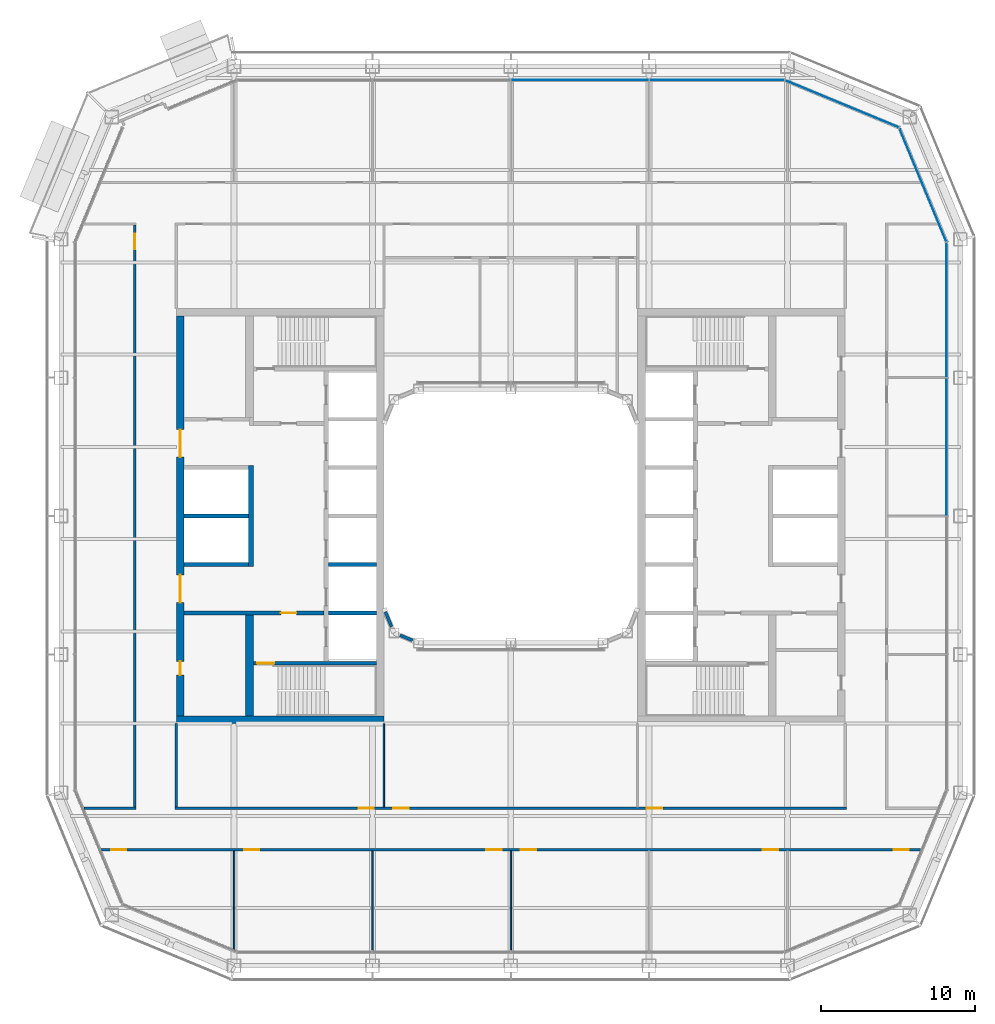
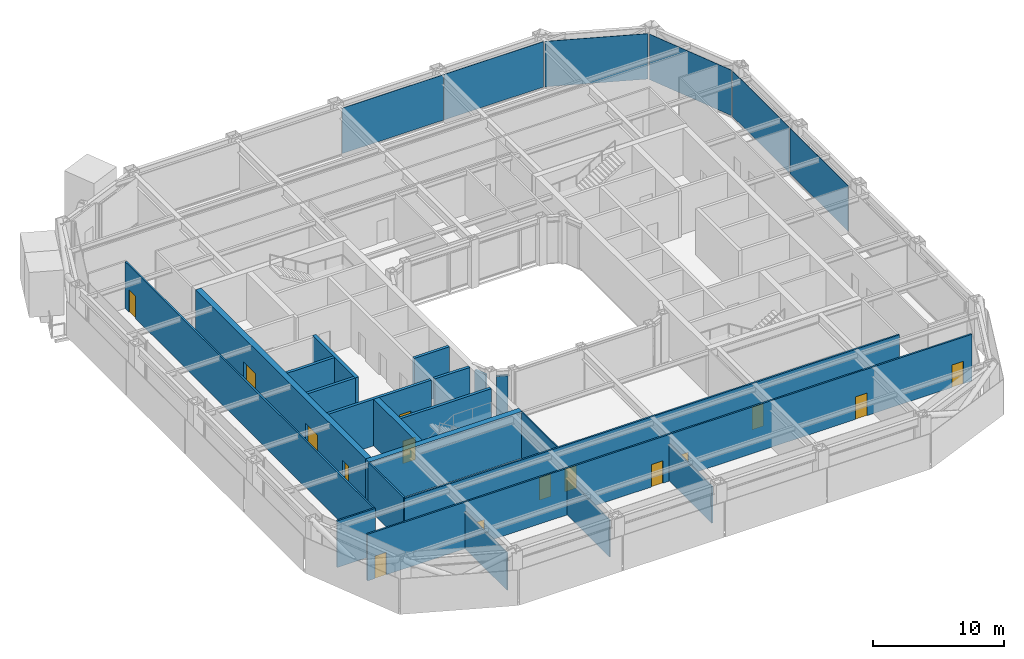
# One storey, part 11 of 23: 21 walls, 15 doors, 6 plates, 15 openings, 4 elements without a shape of their own.
"""IFC4 building model written with IfcOpenShell, lengths in metres."""

from ifc_helpers import new_model, si_unit, direction, frame, frame_2d, origin, origin_2d, place, context, subcontext, project, spatial, rectangle, extrude, material, layer, layer_set, type_object, element, fill, aggregate, save


model = new_model("IFC4")

# Units and contexts
model_context = context("Model", 3, precision=1e-05, world=origin(), true_north=direction((0.0, 1.0)))
body_context = subcontext(model_context, "Body", "Model", "MODEL_VIEW")
ifc_project = project(units=[si_unit("LENGTHUNIT", "METRE"), si_unit("AREAUNIT", "SQUARE_METRE"), si_unit("VOLUMEUNIT", "CUBIC_METRE"), si_unit("PLANEANGLEUNIT", "RADIAN"), si_unit("MASSUNIT", "GRAM", prefix="KILO")], contexts=[model_context])

# Site, building, storey
site_placement = place(None, origin())
site = spatial("IfcSite", under=ifc_project, at=site_placement, CompositionType="ELEMENT")
building_placement = place(site_placement, origin())
building = spatial("IfcBuilding", under=site, at=building_placement, Name="Siwar Civic Tower", CompositionType="ELEMENT")
storey_placement = place(building_placement, frame((0.0, 0.0, 172.199951171875)))
storey = spatial("IfcBuildingStorey", under=building, at=storey_placement, Name="L37", CompositionType="ELEMENT", Elevation=172.199951171875)

# Curtain wall, plates
ifc_material_1 = material(Name="Aluminium and glass", Category="aluminium")
ifc_layer_1 = layer(ifc_material_1, 0.199951171875)
ifc_layer_set_1 = layer_set([ifc_layer_1], Name="Aluminium and glass")
curtain_wall_type_1 = type_object("IfcCurtainWallType", Name="ENV-CW-B", PredefinedType="NOTDEFINED", material=ifc_layer_set_1)
curtain_wall_1_placement = place(storey_placement, origin())
curtain_wall_1 = element("IfcCurtainWall", 1, at=curtain_wall_1_placement, inside=storey, type_object=curtain_wall_type_1, Name="Curtain wall B E", PredefinedType="NOTDEFINED")
ifc_material_2 = material(Name="Glass clear laminated", Category="glass")
ifc_layer_2 = layer(ifc_material_2, 0.033935546875)
ifc_layer_set_2 = layer_set([ifc_layer_2], Name="Glass clear laminated")
plate_type_1 = type_object("IfcPlateType", Name="ENV-PANEL-B", PredefinedType="CURTAIN_PANEL", material=ifc_layer_set_2)
plate_1_placement = place(storey_placement, frame((28.35009765625, 4.5, 0.10986328125), z_axis=(0.0, 0.0, 1.0), x_axis=(0.0, 1.0, 0.0)))
plate_1 = element("IfcPlate", 2, at=plate_1_placement, type_object=plate_type_1, Name="Curtain panel B E 3", PredefinedType="CURTAIN_PANEL", context=body_context, shape_type="SweptSolid", body=[
    extrude(rectangle(XDim=8.93505859375, YDim=0.033935546875, at=origin_2d()), origin(), (0.0, 0.0, 1.0), 4.239990234375),
])
plate_2_placement = place(storey_placement, frame((28.35009765625, 13.369873046875, 0.10986328125), z_axis=(0.0, 0.0, 1.0), x_axis=(0.0, 1.0, 0.0)))
plate_2 = element("IfcPlate", 3, at=plate_2_placement, type_object=plate_type_1, Name="Curtain panel B E 4", PredefinedType="CURTAIN_PANEL", context=body_context, shape_type="SweptSolid", body=[
    extrude(rectangle(XDim=8.6748046875, YDim=0.033935546875, at=origin_2d()), origin(), (0.0, 0.0, 1.0), 4.239990234375),
])
aggregate(curtain_wall_1, [plate_1, plate_2])

curtain_wall_2_placement = place(storey_placement, origin())
curtain_wall_2 = element("IfcCurtainWall", 4, at=curtain_wall_2_placement, inside=storey, type_object=curtain_wall_type_1, Name="Curtain wall B N", PredefinedType="NOTDEFINED")
plate_3_placement = place(storey_placement, frame((13.410400390625, 28.35009765625, 0.10986328125), z_axis=(0.0, 0.0, 1.0), x_axis=(-1.0, 0.0, 0.0)))
plate_3 = element("IfcPlate", 5, at=plate_3_placement, type_object=plate_type_1, Name="Curtain panel B N 1", PredefinedType="CURTAIN_PANEL", context=body_context, shape_type="SweptSolid", body=[
    extrude(rectangle(XDim=8.755859375, YDim=0.033935546875, at=origin_2d()), origin(), (0.0, 0.0, 1.0), 4.239990234375),
])
plate_4_placement = place(storey_placement, frame((4.5, 28.35009765625, 0.10986328125), z_axis=(0.0, 0.0, 1.0), x_axis=(-1.0, 0.0, 0.0)))
plate_4 = element("IfcPlate", 6, at=plate_4_placement, type_object=plate_type_1, Name="Curtain panel B N 2", PredefinedType="CURTAIN_PANEL", context=body_context, shape_type="SweptSolid", body=[
    extrude(rectangle(XDim=8.93505859375, YDim=0.033935546875, at=origin_2d()), origin(), (0.0, 0.0, 1.0), 4.239990234375),
])
aggregate(curtain_wall_2, [plate_3, plate_4])

# Curtain wall, plate
ifc_material_3 = material(Name="Aluminium clad insulated panel", Category="aluminium")
ifc_layer_3 = layer(ifc_material_3, 0.199951171875)
ifc_layer_set_3 = layer_set([ifc_layer_3], Name="Aluminium clad insulated panel")
curtain_wall_type_2 = type_object("IfcCurtainWallType", Name="ENV-CW-BX", PredefinedType="NOTDEFINED", material=ifc_layer_set_3)
curtain_wall_3_placement = place(storey_placement, origin())
curtain_wall_3 = element("IfcCurtainWall", 7, at=curtain_wall_3_placement, inside=storey, type_object=curtain_wall_type_2, Name="Curtain wall B NE1", PredefinedType="NOTDEFINED")
ifc_material_4 = material(Name="Aluminium clad insulated panel", Category="aluminium")
ifc_layer_4 = layer(ifc_material_4, 0.033935546875)
ifc_layer_set_4 = layer_set([ifc_layer_4], Name="Aluminium clad insulated panel")
plate_type_2 = type_object("IfcPlateType", Name="ENV-PANEL-BX", PredefinedType="CURTAIN_PANEL", material=ifc_layer_set_4)
plate_5_placement = place(storey_placement, frame((26.823486328125, 21.506103515625, 0.10986328125), z_axis=(0.0, 0.0, 1.0), x_axis=(-0.382683432365, 0.923879532511, 0.0)))
plate_5 = element("IfcPlate", 8, at=plate_5_placement, type_object=plate_type_2, Name="Curtain panel B NE1 1", PredefinedType="CURTAIN_PANEL", context=body_context, shape_type="SweptSolid", body=[
    extrude(rectangle(XDim=7.912353515625, YDim=0.033935546875, at=origin_2d()), origin(), (0.0, 0.0, 1.0), 4.239990234375),
])
aggregate(curtain_wall_3, [plate_5])

curtain_wall_4_placement = place(storey_placement, origin())
curtain_wall_4 = element("IfcCurtainWall", 9, at=curtain_wall_4_placement, inside=storey, type_object=curtain_wall_type_2, Name="Curtain wall B NE2", PredefinedType="NOTDEFINED")
plate_6_placement = place(storey_placement, frame((21.5810546875, 26.79248046875, 0.10986328125), z_axis=(0.0, 0.0, 1.0), x_axis=(-0.923879532511, 0.382683432365, 0.0)))
plate_6 = element("IfcPlate", 10, at=plate_6_placement, type_object=plate_type_2, Name="Curtain panel B NE2 1", PredefinedType="CURTAIN_PANEL", context=body_context, shape_type="SweptSolid", body=[
    extrude(rectangle(XDim=7.912353515625, YDim=0.033935546875, at=origin_2d()), origin(), (0.0, 0.0, 1.0), 4.239990234375),
])
aggregate(curtain_wall_4, [plate_6])

# Wall, opening, door
ifc_material_5 = material(Name="Concrete C60/75", Category="concrete")
ifc_layer_5 = layer(ifc_material_5, 0.25)
ifc_layer_set_5 = layer_set([ifc_layer_5], Name="Concrete C60/75")
wall_type_1 = type_object("IfcWallType", Name="CORE-WALL-RC250", PredefinedType="SHEAR", material=ifc_layer_set_5)
wall_1_placement = place(storey_placement, frame((-12.14990234375, -6.300048828125, 0.0), z_axis=(0.0, 0.0, 1.0), x_axis=(-1.0, 0.0, 0.0)))
wall_1 = element("IfcWall", 11, at=wall_1_placement, inside=storey, type_object=wall_type_1, Name="Core wall W", PredefinedType="SHEAR", context=body_context, shape_type="SweptSolid", body=[
    extrude(rectangle(XDim=9.10009765625, YDim=0.25, at=frame_2d((4.550048828125, 0.0))), origin(), (0.0, 0.0, 1.0), 4.35009765625),
])
opening_1_placement = place(wall_1_placement, frame((1.800048828125, 0.0, 0.0)))
opening_1 = element("IfcOpeningElement", 12, at=opening_1_placement, cuts=wall_1, Name="Opening L37-CW02", PredefinedType="OPENING", context=body_context, shape_type="SweptSolid", body=[
    extrude(rectangle(XDim=1.0, YDim=2.10009765625, at=frame_2d((0.5, 1.050048828125))), frame((0.0, 0.135009765625, 0.0), z_axis=(0.0, -1.0, 0.0), x_axis=(1.0, 0.0, 0.0)), (0.0, 0.0, 1.0), 0.27001953125),
])
ifc_material_6 = material(Name="Steel door leaf", Category="steel")
door_type_1 = type_object("IfcDoorType", Name="CORE-DOOR-FD30S", OperationType="SINGLE_SWING_LEFT", PredefinedType="DOOR", material=ifc_material_6)
door_1_placement = place(opening_1_placement, origin())
door_1 = element("IfcDoor", 13, at=door_1_placement, inside=storey, type_object=door_type_1, Name="Service lobby door L37-CW02", OperationType="SINGLE_SWING_RIGHT", OverallHeight=2.10009765625, OverallWidth=1.0, PredefinedType="DOOR", context=body_context, shape_type="SweptSolid", body=[
    extrude(rectangle(XDim=1.0, YDim=2.10009765625, at=frame_2d((0.5, 1.050048828125))), frame((0.0, 0.02490234375, 0.0), z_axis=(0.0, -1.0, 0.0), x_axis=(1.0, 0.0, 0.0)), (0.0, 0.0, 1.0), 0.050048828125),
])
fill(opening_1, door_1)

# Walls
for number, where, z_axis, x_axis, name in (
    (14, (-17.050048828125, 0.0, 0.0), (0.0, 0.0, 1.0), (-1.0, 0.0, 0.0), "Core wall W"),
    (15, (-17.050048828125, -3.14990234375, 0.0), (0.0, 0.0, 1.0), (-1.0, 0.0, 0.0), "Core wall W"),
):
    element("IfcWall", number, at=place(storey_placement, frame(where, z_axis=z_axis, x_axis=x_axis)), inside=storey, type_object=wall_type_1, Name=name, PredefinedType="SHEAR", context=body_context, shape_type="SweptSolid", body=[
        extrude(rectangle(XDim=4.199951171875, YDim=0.25, at=frame_2d((2.10009765625, 0.0))), origin(), (0.0, 0.0, 1.0), 4.35009765625),
    ])
for number, where, z_axis, x_axis, name in (
    (16, (-8.75, -3.14990234375, 0.0), (0.0, 0.0, 1.0), (-1.0, 0.0, 0.0), "Core wall W"),
    (17, (-8.75, -6.300048828125, 0.0), (0.0, 0.0, 1.0), (-1.0, 0.0, 0.0), "Core wall W"),
):
    element("IfcWall", number, at=place(storey_placement, frame(where, z_axis=z_axis, x_axis=x_axis)), inside=storey, type_object=wall_type_1, Name=name, PredefinedType="SHEAR", context=body_context, shape_type="SweptSolid", body=[
        extrude(rectangle(XDim=3.10009765625, YDim=0.25, at=frame_2d((1.550048828125, 0.0))), origin(), (0.0, 0.0, 1.0), 4.35009765625),
    ])

# Wall, opening, door
wall_2_placement = place(storey_placement, frame((-8.75, -9.574951171875, 0.0), z_axis=(0.0, 0.0, 1.0), x_axis=(-1.0, 0.0, 0.0)))
wall_2 = element("IfcWall", 18, at=wall_2_placement, inside=storey, type_object=wall_type_1, Name="Core wall W", PredefinedType="SHEAR", context=body_context, shape_type="SweptSolid", body=[
    extrude(rectangle(XDim=8.0, YDim=0.25, at=frame_2d((4.0, 0.0))), origin(), (0.0, 0.0, 1.0), 4.35009765625),
])
opening_2_placement = place(wall_2_placement, frame((6.64990234375, 0.0, 0.0)))
opening_2 = element("IfcOpeningElement", 19, at=opening_2_placement, cuts=wall_2, Name="Opening L37-CW04", PredefinedType="OPENING", context=body_context, shape_type="SweptSolid", body=[
    extrude(rectangle(XDim=1.10009765625, YDim=2.10009765625, at=frame_2d((0.550048828125, 1.050048828125))), frame((0.0, 0.135009765625, 0.0), z_axis=(0.0, -1.0, 0.0), x_axis=(1.0, 0.0, 0.0)), (0.0, 0.0, 1.0), 0.27001953125),
])
ifc_material_7 = material(Name="Steel door leaf", Category="steel")
door_type_2 = type_object("IfcDoorType", Name="CORE-DOOR-FD60S", OperationType="SINGLE_SWING_LEFT", PredefinedType="DOOR", material=ifc_material_7)
door_2_placement = place(opening_2_placement, origin())
door_2 = element("IfcDoor", 20, at=door_2_placement, inside=storey, type_object=door_type_2, Name="Stair door L37-CW04", OperationType="SINGLE_SWING_LEFT", OverallHeight=2.10009765625, OverallWidth=1.10009765625, PredefinedType="DOOR", context=body_context, shape_type="SweptSolid", body=[
    extrude(rectangle(XDim=1.10009765625, YDim=2.10009765625, at=frame_2d((0.550048828125, 1.050048828125))), frame((0.0, 0.02490234375, 0.0), z_axis=(0.0, -1.0, 0.0), x_axis=(1.0, 0.0, 0.0)), (0.0, 0.0, 1.0), 0.050048828125),
])
fill(opening_2, door_2)

# Wall
ifc_material_8 = material(Name="Concrete C60/75", Category="concrete")
ifc_layer_6 = layer(ifc_material_8, 0.300048828125)
ifc_layer_set_6 = layer_set([ifc_layer_6], Name="Concrete C60/75")
wall_type_2 = type_object("IfcWallType", Name="CORE-WALL-RC300", PredefinedType="SHEAR", material=ifc_layer_set_6)
wall_3_placement = place(storey_placement, frame((-16.89990234375, -3.27490234375, 0.0), z_axis=(0.0, 0.0, 1.0), x_axis=(0.0, 1.0, 0.0)))
element("IfcWall", 21, at=wall_3_placement, inside=storey, type_object=wall_type_2, Name="Core wall W", PredefinedType="SHEAR", context=body_context, shape_type="SweptSolid", body=[
    extrude(rectangle(XDim=6.5498046875, YDim=0.300048828125, at=frame_2d((3.27490234375, 0.0))), origin(), (0.0, 0.0, 1.0), 4.35009765625),
])

# Wall, openings, doors
ifc_material_9 = material(Name="Concrete C60/75", Category="concrete")
ifc_layer_7 = layer(ifc_material_9, 0.5)
ifc_layer_set_7 = layer_set([ifc_layer_7], Name="Concrete C60/75")
wall_type_3 = type_object("IfcWallType", Name="CORE-WALL-RC500", PredefinedType="SHEAR", material=ifc_layer_set_7)
wall_4_placement = place(storey_placement, frame((-21.5, -13.0, 0.0), z_axis=(0.0, 0.0, 1.0), x_axis=(0.0, 1.0, 0.0)))
wall_4 = element("IfcWall", 22, at=wall_4_placement, inside=storey, type_object=wall_type_3, Name="Core wall W", PredefinedType="SHEAR", context=body_context, shape_type="SweptSolid", body=[
    extrude(rectangle(XDim=26.0, YDim=0.5, at=frame_2d((13.0, 0.0))), origin(), (0.0, 0.0, 1.0), 4.35009765625),
])
opening_3_placement = place(wall_4_placement, frame((16.824951171875, 0.0, 0.0)))
opening_3 = element("IfcOpeningElement", 23, at=opening_3_placement, cuts=wall_4, Name="Opening L37-CW05", PredefinedType="OPENING", context=body_context, shape_type="SweptSolid", body=[
    extrude(rectangle(XDim=1.800048828125, YDim=2.10009765625, at=frame_2d((0.89990234375, 1.050048828125))), frame((0.0, 0.260009765625, 0.0), z_axis=(0.0, -1.0, 0.0), x_axis=(1.0, 0.0, 0.0)), (0.0, 0.0, 1.0), 0.52001953125),
])
opening_4_placement = place(wall_4_placement, frame((7.375, 0.0, 0.0)))
opening_4 = element("IfcOpeningElement", 24, at=opening_4_placement, cuts=wall_4, Name="Opening L37-CW06", PredefinedType="OPENING", context=body_context, shape_type="SweptSolid", body=[
    extrude(rectangle(XDim=1.800048828125, YDim=2.10009765625, at=frame_2d((0.89990234375, 1.050048828125))), frame((0.0, 0.260009765625, 0.0), z_axis=(0.0, -1.0, 0.0), x_axis=(1.0, 0.0, 0.0)), (0.0, 0.0, 1.0), 0.52001953125),
])
opening_5_placement = place(wall_4_placement, frame((2.64990234375, 0.0, 0.0)))
opening_5 = element("IfcOpeningElement", 25, at=opening_5_placement, cuts=wall_4, Name="Opening L37-CW14", PredefinedType="OPENING", context=body_context, shape_type="SweptSolid", body=[
    extrude(rectangle(XDim=0.89990234375, YDim=2.10009765625, at=frame_2d((0.449951171875, 1.050048828125))), frame((0.0, 0.260009765625, 0.0), z_axis=(0.0, -1.0, 0.0), x_axis=(1.0, 0.0, 0.0)), (0.0, 0.0, 1.0), 0.52001953125),
])
ifc_material_10 = material(Name="Steel door leaf", Category="steel")
door_type_3 = type_object("IfcDoorType", Name="CORE-DOOR-PORT", OperationType="DOUBLE_DOOR_DOUBLE_SWING", PredefinedType="DOOR", material=ifc_material_10)
door_3_placement = place(opening_3_placement, origin())
door_3 = element("IfcDoor", 26, at=door_3_placement, inside=storey, type_object=door_type_3, Name="Core entrance door L37-CW05", OperationType="DOUBLE_DOOR_DOUBLE_SWING", OverallHeight=2.10009765625, OverallWidth=1.800048828125, PredefinedType="DOOR", context=body_context, shape_type="SweptSolid", body=[
    extrude(rectangle(XDim=1.800048828125, YDim=2.10009765625, at=frame_2d((0.89990234375, 1.050048828125))), frame((0.0, 0.02490234375, 0.0), z_axis=(0.0, -1.0, 0.0), x_axis=(1.0, 0.0, 0.0)), (0.0, 0.0, 1.0), 0.050048828125),
])
fill(opening_3, door_3)
door_4_placement = place(opening_4_placement, origin())
door_4 = element("IfcDoor", 27, at=door_4_placement, inside=storey, type_object=door_type_3, Name="Core entrance door L37-CW06", OperationType="DOUBLE_DOOR_DOUBLE_SWING", OverallHeight=2.10009765625, OverallWidth=1.800048828125, PredefinedType="DOOR", context=body_context, shape_type="SweptSolid", body=[
    extrude(rectangle(XDim=1.800048828125, YDim=2.10009765625, at=frame_2d((0.89990234375, 1.050048828125))), frame((0.0, 0.02490234375, 0.0), z_axis=(0.0, -1.0, 0.0), x_axis=(1.0, 0.0, 0.0)), (0.0, 0.0, 1.0), 0.050048828125),
])
fill(opening_4, door_4)
ifc_material_11 = material(Name="Steel door leaf", Category="steel")
door_type_4 = type_object("IfcDoorType", Name="CORE-DOOR-ROOM", OperationType="SINGLE_SWING_LEFT", PredefinedType="DOOR", material=ifc_material_11)
door_5_placement = place(opening_5_placement, origin())
door_5 = element("IfcDoor", 28, at=door_5_placement, inside=storey, type_object=door_type_4, Name="Core room door L37-CW14", OperationType="SINGLE_SWING_LEFT", OverallHeight=2.10009765625, OverallWidth=0.89990234375, PredefinedType="DOOR", context=body_context, shape_type="SweptSolid", body=[
    extrude(rectangle(XDim=0.89990234375, YDim=2.10009765625, at=frame_2d((0.449951171875, 1.050048828125))), frame((0.0, 0.02490234375, 0.0), z_axis=(0.0, -1.0, 0.0), x_axis=(1.0, 0.0, 0.0)), (0.0, 0.0, 1.0), 0.050048828125),
])
fill(opening_5, door_5)

# Walls
wall_5_placement = place(storey_placement, frame((-17.0, -13.0, 0.0), z_axis=(0.0, 0.0, 1.0), x_axis=(0.0, 1.0, 0.0)))
element("IfcWall", 29, at=wall_5_placement, inside=storey, type_object=wall_type_3, Name="Core wall W", PredefinedType="SHEAR", context=body_context, shape_type="SweptSolid", body=[
    extrude(rectangle(XDim=6.574951171875, YDim=0.5, at=frame_2d((3.28759765625, 0.0))), origin(), (0.0, 0.0, 1.0), 4.35009765625),
])
wall_6_placement = place(storey_placement, frame((-8.25, -13.25, 0.0), z_axis=(0.0, 0.0, 1.0), x_axis=(-1.0, 0.0, 0.0)))
element("IfcWall", 30, at=wall_6_placement, inside=storey, type_object=wall_type_3, Name="Core wall W", PredefinedType="SHEAR", context=body_context, shape_type="SweptSolid", body=[
    extrude(rectangle(XDim=13.5, YDim=0.5, at=frame_2d((6.75, 0.0))), origin(), (0.0, 0.0, 1.0), 4.35009765625),
])

# Wall, openings, doors
ifc_material_12 = material(Name="Gypsum board on steel studs", Category="steel")
ifc_layer_8 = layer(ifc_material_12, 0.14990234375)
ifc_layer_set_8 = layer_set([ifc_layer_8], Name="Gypsum board on steel studs")
wall_type_4 = type_object("IfcWallType", Name="CORRIDOR PARTITION 150 EI 30", PredefinedType="PARTITIONING", material=ifc_layer_set_8)
wall_7_placement = place(storey_placement, frame((-26.64599609375, -21.699951171875, 0.0), z_axis=(0.0, 0.0, 1.0), x_axis=(1.0, 0.0, 0.0)))
wall_7 = element("IfcWall", 31, at=wall_7_placement, inside=storey, type_object=wall_type_4, Name="L37/wall/P01", PredefinedType="PARTITIONING", context=body_context, shape_type="SweptSolid", body=[
    extrude(rectangle(XDim=53.2919921875, YDim=0.14990234375, at=frame_2d((26.64599609375, 0.0))), origin(), (0.0, 0.0, 1.0), 4.35009765625),
])
opening_6_placement = place(wall_7_placement, frame((9.2958984375, 0.0, 0.0)))
opening_6 = element("IfcOpeningElement", 32, at=opening_6_placement, cuts=wall_7, Name="Opening D1", PredefinedType="OPENING", context=body_context, shape_type="SweptSolid", body=[
    extrude(rectangle(XDim=1.0, YDim=2.10009765625, at=frame_2d((0.5, 1.050048828125))), frame((0.0, 0.0849609375, 0.0), z_axis=(0.0, -1.0, 0.0), x_axis=(1.0, 0.0, 0.0)), (0.0, 0.0, 1.0), 0.169921875),
])
opening_7_placement = place(wall_7_placement, frame((25.0458984375, 0.0, 0.0)))
opening_7 = element("IfcOpeningElement", 33, at=opening_7_placement, cuts=wall_7, Name="Opening D1", PredefinedType="OPENING", context=body_context, shape_type="SweptSolid", body=[
    extrude(rectangle(XDim=1.0, YDim=2.10009765625, at=frame_2d((0.5, 1.050048828125))), frame((0.0, 0.0849609375, 0.0), z_axis=(0.0, -1.0, 0.0), x_axis=(1.0, 0.0, 0.0)), (0.0, 0.0, 1.0), 0.169921875),
])
opening_8_placement = place(wall_7_placement, frame((27.2958984375, 0.0, 0.0)))
opening_8 = element("IfcOpeningElement", 34, at=opening_8_placement, cuts=wall_7, Name="Opening D1", PredefinedType="OPENING", context=body_context, shape_type="SweptSolid", body=[
    extrude(rectangle(XDim=1.0, YDim=2.10009765625, at=frame_2d((0.5, 1.050048828125))), frame((0.0, 0.0849609375, 0.0), z_axis=(0.0, -1.0, 0.0), x_axis=(1.0, 0.0, 0.0)), (0.0, 0.0, 1.0), 0.169921875),
])
opening_9_placement = place(wall_7_placement, frame((43.0458984375, 0.0, 0.0)))
opening_9 = element("IfcOpeningElement", 35, at=opening_9_placement, cuts=wall_7, Name="Opening D1", PredefinedType="OPENING", context=body_context, shape_type="SweptSolid", body=[
    extrude(rectangle(XDim=1.0, YDim=2.10009765625, at=frame_2d((0.5, 1.050048828125))), frame((0.0, 0.0849609375, 0.0), z_axis=(0.0, -1.0, 0.0), x_axis=(1.0, 0.0, 0.0)), (0.0, 0.0, 1.0), 0.169921875),
])
opening_10_placement = place(wall_7_placement, frame((0.64990234375, 0.0, 0.0)))
opening_10 = element("IfcOpeningElement", 36, at=opening_10_placement, cuts=wall_7, Name="Opening D1", PredefinedType="OPENING", context=body_context, shape_type="SweptSolid", body=[
    extrude(rectangle(XDim=1.0, YDim=2.10009765625, at=frame_2d((0.5, 1.050048828125))), frame((0.0, 0.0849609375, 0.0), z_axis=(0.0, -1.0, 0.0), x_axis=(1.0, 0.0, 0.0)), (0.0, 0.0, 1.0), 0.169921875),
])
opening_11_placement = place(wall_7_placement, frame((51.5458984375, 0.0, 0.0)))
opening_11 = element("IfcOpeningElement", 37, at=opening_11_placement, cuts=wall_7, Name="Opening D1", PredefinedType="OPENING", context=body_context, shape_type="SweptSolid", body=[
    extrude(rectangle(XDim=1.0, YDim=2.10009765625, at=frame_2d((0.5, 1.050048828125))), frame((0.0, 0.0849609375, 0.0), z_axis=(0.0, -1.0, 0.0), x_axis=(1.0, 0.0, 0.0)), (0.0, 0.0, 1.0), 0.169921875),
])
ifc_material_13 = material(Name="Timber, painted", Category="wood")
door_type_5 = type_object("IfcDoorType", Name="DOOR 1000 X 2100 FD30", OperationType="SINGLE_SWING_LEFT", PredefinedType="DOOR", material=ifc_material_13)
door_6_placement = place(opening_6_placement, origin())
door_6 = element("IfcDoor", 38, at=door_6_placement, inside=storey, type_object=door_type_5, Name="L37-D05", OperationType="SINGLE_SWING_LEFT", OverallHeight=2.10009765625, OverallWidth=1.0, PredefinedType="DOOR", context=body_context, shape_type="SweptSolid", body=[
    extrude(rectangle(XDim=1.0, YDim=2.10009765625, at=frame_2d((0.5, 1.050048828125))), frame((0.0, 0.02490234375, 0.0), z_axis=(0.0, -1.0, 0.0), x_axis=(1.0, 0.0, 0.0)), (0.0, 0.0, 1.0), 0.050048828125),
])
fill(opening_6, door_6)
door_7_placement = place(opening_7_placement, origin())
door_7 = element("IfcDoor", 39, at=door_7_placement, inside=storey, type_object=door_type_5, Name="L37-D06", OperationType="SINGLE_SWING_RIGHT", OverallHeight=2.10009765625, OverallWidth=1.0, PredefinedType="DOOR", context=body_context, shape_type="SweptSolid", body=[
    extrude(rectangle(XDim=1.0, YDim=2.10009765625, at=frame_2d((0.5, 1.050048828125))), frame((0.0, 0.02490234375, 0.0), z_axis=(0.0, -1.0, 0.0), x_axis=(1.0, 0.0, 0.0)), (0.0, 0.0, 1.0), 0.050048828125),
])
fill(opening_7, door_7)
door_8_placement = place(opening_8_placement, origin())
door_8 = element("IfcDoor", 40, at=door_8_placement, inside=storey, type_object=door_type_5, Name="L37-D07", OperationType="SINGLE_SWING_LEFT", OverallHeight=2.10009765625, OverallWidth=1.0, PredefinedType="DOOR", context=body_context, shape_type="SweptSolid", body=[
    extrude(rectangle(XDim=1.0, YDim=2.10009765625, at=frame_2d((0.5, 1.050048828125))), frame((0.0, 0.02490234375, 0.0), z_axis=(0.0, -1.0, 0.0), x_axis=(1.0, 0.0, 0.0)), (0.0, 0.0, 1.0), 0.050048828125),
])
fill(opening_8, door_8)
door_9_placement = place(opening_9_placement, origin())
door_9 = element("IfcDoor", 41, at=door_9_placement, inside=storey, type_object=door_type_5, Name="L37-D08", OperationType="SINGLE_SWING_RIGHT", OverallHeight=2.10009765625, OverallWidth=1.0, PredefinedType="DOOR", context=body_context, shape_type="SweptSolid", body=[
    extrude(rectangle(XDim=1.0, YDim=2.10009765625, at=frame_2d((0.5, 1.050048828125))), frame((0.0, 0.02490234375, 0.0), z_axis=(0.0, -1.0, 0.0), x_axis=(1.0, 0.0, 0.0)), (0.0, 0.0, 1.0), 0.050048828125),
])
fill(opening_9, door_9)
door_10_placement = place(opening_10_placement, origin())
door_10 = element("IfcDoor", 42, at=door_10_placement, inside=storey, type_object=door_type_5, Name="L37-D11", OperationType="SINGLE_SWING_LEFT", OverallHeight=2.10009765625, OverallWidth=1.0, PredefinedType="DOOR", context=body_context, shape_type="SweptSolid", body=[
    extrude(rectangle(XDim=1.0, YDim=2.10009765625, at=frame_2d((0.5, 1.050048828125))), frame((0.0, 0.02490234375, 0.0), z_axis=(0.0, -1.0, 0.0), x_axis=(1.0, 0.0, 0.0)), (0.0, 0.0, 1.0), 0.050048828125),
])
fill(opening_10, door_10)
door_11_placement = place(opening_11_placement, origin())
door_11 = element("IfcDoor", 43, at=door_11_placement, inside=storey, type_object=door_type_5, Name="L37-D12", OperationType="SINGLE_SWING_RIGHT", OverallHeight=2.10009765625, OverallWidth=1.0, PredefinedType="DOOR", context=body_context, shape_type="SweptSolid", body=[
    extrude(rectangle(XDim=1.0, YDim=2.10009765625, at=frame_2d((0.5, 1.050048828125))), frame((0.0, 0.02490234375, 0.0), z_axis=(0.0, -1.0, 0.0), x_axis=(1.0, 0.0, 0.0)), (0.0, 0.0, 1.0), 0.050048828125),
])
fill(opening_11, door_11)

# Wall
wall_8_placement = place(storey_placement, frame((-27.763916015625, -19.0, 0.0), z_axis=(0.0, 0.0, 1.0), x_axis=(1.0, 0.0, 0.0)))
element("IfcWall", 44, at=wall_8_placement, inside=storey, type_object=wall_type_4, Name="L37/wall/P02", PredefinedType="PARTITIONING", context=body_context, shape_type="SweptSolid", body=[
    extrude(rectangle(XDim=3.388916015625, YDim=0.14990234375, at=frame_2d((1.6943359375, 0.0))), origin(), (0.0, 0.0, 1.0), 4.35009765625),
])

# Wall, openings, doors
wall_9_placement = place(storey_placement, frame((-21.824951171875, -19.0, 0.0), z_axis=(0.0, 0.0, 1.0), x_axis=(1.0, 0.0, 0.0)))
wall_9 = element("IfcWall", 45, at=wall_9_placement, inside=storey, type_object=wall_type_4, Name="L37/wall/P03", PredefinedType="PARTITIONING", context=body_context, shape_type="SweptSolid", body=[
    extrude(rectangle(XDim=43.64990234375, YDim=0.14990234375, at=frame_2d((21.824951171875, 0.0))), origin(), (0.0, 0.0, 1.0), 4.35009765625),
])
opening_12_placement = place(wall_9_placement, frame((14.175048828125, 0.0, 0.0)))
opening_12 = element("IfcOpeningElement", 46, at=opening_12_placement, cuts=wall_9, Name="Opening D1", PredefinedType="OPENING", context=body_context, shape_type="SweptSolid", body=[
    extrude(rectangle(XDim=1.0, YDim=2.10009765625, at=frame_2d((0.5, 1.050048828125))), frame((0.0, 0.0849609375, 0.0), z_axis=(0.0, -1.0, 0.0), x_axis=(1.0, 0.0, 0.0)), (0.0, 0.0, 1.0), 0.169921875),
])
opening_13_placement = place(wall_9_placement, frame((11.925048828125, 0.0, 0.0)))
opening_13 = element("IfcOpeningElement", 47, at=opening_13_placement, cuts=wall_9, Name="Opening D1", PredefinedType="OPENING", context=body_context, shape_type="SweptSolid", body=[
    extrude(rectangle(XDim=1.0, YDim=2.10009765625, at=frame_2d((0.5, 1.050048828125))), frame((0.0, 0.0849609375, 0.0), z_axis=(0.0, -1.0, 0.0), x_axis=(1.0, 0.0, 0.0)), (0.0, 0.0, 1.0), 0.169921875),
])
opening_14_placement = place(wall_9_placement, frame((30.675048828125, 0.0, 0.0)))
opening_14 = element("IfcOpeningElement", 48, at=opening_14_placement, cuts=wall_9, Name="Opening D1", PredefinedType="OPENING", context=body_context, shape_type="SweptSolid", body=[
    extrude(rectangle(XDim=1.0, YDim=2.10009765625, at=frame_2d((0.5, 1.050048828125))), frame((0.0, 0.0849609375, 0.0), z_axis=(0.0, -1.0, 0.0), x_axis=(1.0, 0.0, 0.0)), (0.0, 0.0, 1.0), 0.169921875),
])
door_12_placement = place(opening_12_placement, origin())
door_12 = element("IfcDoor", 49, at=door_12_placement, inside=storey, type_object=door_type_5, Name="L37-D18", OperationType="SINGLE_SWING_RIGHT", OverallHeight=2.10009765625, OverallWidth=1.0, PredefinedType="DOOR", context=body_context, shape_type="SweptSolid", body=[
    extrude(rectangle(XDim=1.0, YDim=2.10009765625, at=frame_2d((0.5, 1.050048828125))), frame((0.0, 0.02490234375, 0.0), z_axis=(0.0, -1.0, 0.0), x_axis=(1.0, 0.0, 0.0)), (0.0, 0.0, 1.0), 0.050048828125),
])
fill(opening_12, door_12)
door_13_placement = place(opening_13_placement, origin())
door_13 = element("IfcDoor", 50, at=door_13_placement, inside=storey, type_object=door_type_5, Name="L37-D21", OperationType="SINGLE_SWING_LEFT", OverallHeight=2.10009765625, OverallWidth=1.0, PredefinedType="DOOR", context=body_context, shape_type="SweptSolid", body=[
    extrude(rectangle(XDim=1.0, YDim=2.10009765625, at=frame_2d((0.5, 1.050048828125))), frame((0.0, 0.02490234375, 0.0), z_axis=(0.0, -1.0, 0.0), x_axis=(1.0, 0.0, 0.0)), (0.0, 0.0, 1.0), 0.050048828125),
])
fill(opening_13, door_13)
door_14_placement = place(opening_14_placement, origin())
door_14 = element("IfcDoor", 51, at=door_14_placement, inside=storey, type_object=door_type_5, Name="L37-D22", OperationType="SINGLE_SWING_RIGHT", OverallHeight=2.10009765625, OverallWidth=1.0, PredefinedType="DOOR", context=body_context, shape_type="SweptSolid", body=[
    extrude(rectangle(XDim=1.0, YDim=2.10009765625, at=frame_2d((0.5, 1.050048828125))), frame((0.0, 0.02490234375, 0.0), z_axis=(0.0, -1.0, 0.0), x_axis=(1.0, 0.0, 0.0)), (0.0, 0.0, 1.0), 0.050048828125),
])
fill(opening_14, door_14)

# Wall, opening, door
wall_10_placement = place(storey_placement, frame((-24.449951171875, -18.925048828125, 0.0), z_axis=(0.0, 0.0, 1.0), x_axis=(0.0, 1.0, 0.0)))
wall_10 = element("IfcWall", 52, at=wall_10_placement, inside=storey, type_object=wall_type_4, Name="L37/wall/P14", PredefinedType="PARTITIONING", context=body_context, shape_type="SweptSolid", body=[
    extrude(rectangle(XDim=37.85009765625, YDim=0.14990234375, at=frame_2d((18.925048828125, 0.0))), origin(), (0.0, 0.0, 1.0), 4.35009765625),
])
opening_15_placement = place(wall_10_placement, frame((36.27490234375, 0.0, 0.0)))
opening_15 = element("IfcOpeningElement", 53, at=opening_15_placement, cuts=wall_10, Name="Opening D1", PredefinedType="OPENING", context=body_context, shape_type="SweptSolid", body=[
    extrude(rectangle(XDim=1.0, YDim=2.10009765625, at=frame_2d((0.5, 1.050048828125))), frame((0.0, 0.0849609375, 0.0), z_axis=(0.0, -1.0, 0.0), x_axis=(1.0, 0.0, 0.0)), (0.0, 0.0, 1.0), 0.169921875),
])
door_15_placement = place(opening_15_placement, origin())
door_15 = element("IfcDoor", 54, at=door_15_placement, inside=storey, type_object=door_type_5, Name="L37-D23", OperationType="SINGLE_SWING_LEFT", OverallHeight=2.10009765625, OverallWidth=1.0, PredefinedType="DOOR", context=body_context, shape_type="SweptSolid", body=[
    extrude(rectangle(XDim=1.0, YDim=2.10009765625, at=frame_2d((0.5, 1.050048828125))), frame((0.0, 0.02490234375, 0.0), z_axis=(0.0, -1.0, 0.0), x_axis=(1.0, 0.0, 0.0)), (0.0, 0.0, 1.0), 0.050048828125),
])
fill(opening_15, door_15)

# Walls
wall_11_placement = place(storey_placement, frame((-21.75, -18.925048828125, 0.0), z_axis=(0.0, 0.0, 1.0), x_axis=(0.0, 1.0, 0.0)))
element("IfcWall", 55, at=wall_11_placement, inside=storey, type_object=wall_type_4, Name="L37/wall/P15", PredefinedType="PARTITIONING", context=body_context, shape_type="SweptSolid", body=[
    extrude(rectangle(XDim=5.425048828125, YDim=0.14990234375, at=frame_2d((2.71240234375, 0.0))), origin(), (0.0, 0.0, 1.0), 4.35009765625),
])
ifc_material_14 = material(Name="Aluminium clad insulated panel", Category="aluminium")
ifc_layer_9 = layer(ifc_material_14, 0.199951171875)
ifc_layer_set_9 = layer_set([ifc_layer_9], Name="Aluminium clad insulated panel")
wall_type_5 = type_object("IfcWallType", Name="ENV-WALL-WELL", PredefinedType="STANDARD", material=ifc_layer_set_9)
wall_12_placement = place(storey_placement, frame((-8.154296875, -6.23095703125, 0.0), z_axis=(0.0, 0.0, 1.0), x_axis=(0.382694858887, -0.923874799408, 0.0)))
element("IfcWall", 56, at=wall_12_placement, inside=storey, type_object=wall_type_5, Name="Light well corner wall SW1", PredefinedType="STANDARD", context=body_context, shape_type="SweptSolid", body=[
    extrude(rectangle(XDim=1.047607421875, YDim=0.199951171875, at=frame_2d((0.52392578125, 0.0))), origin(), (0.0, 0.0, 1.0), 3.825927734375),
])
wall_13_placement = place(storey_placement, frame((-7.19873046875, -7.75341796875, 0.0), z_axis=(0.0, 0.0, 1.0), x_axis=(0.923894108428, -0.382648241093, 0.0)))
element("IfcWall", 57, at=wall_13_placement, inside=storey, type_object=wall_type_5, Name="Light well corner wall SW2", PredefinedType="STANDARD", context=body_context, shape_type="SweptSolid", body=[
    extrude(rectangle(XDim=0.872802734375, YDim=0.199951171875, at=frame_2d((0.4365234375, 0.0))), origin(), (0.0, 0.0, 1.0), 3.825927734375),
])
ifc_material_15 = material(Name="Gypsum board on steel studs", Category="steel")
ifc_layer_10 = layer(ifc_material_15, 0.10009765625)
ifc_layer_set_10 = layer_set([ifc_layer_10], Name="Gypsum board on steel studs")
wall_type_6 = type_object("IfcWallType", Name="PARTITION 100 GYPSUM", PredefinedType="PARTITIONING", material=ifc_layer_set_10)
wall_14_placement = place(storey_placement, frame((-18.0, -28.177978515625, 0.0), z_axis=(0.0, 0.0, 1.0), x_axis=(0.0, 1.0, 0.0)))
element("IfcWall", 58, at=wall_14_placement, inside=storey, type_object=wall_type_6, Name="L37/wall/P17", PredefinedType="PARTITIONING", context=body_context, shape_type="SweptSolid", body=[
    extrude(rectangle(XDim=6.403076171875, YDim=0.10009765625, at=frame_2d((3.20166015625, 0.0))), origin(), (0.0, 0.0, 1.0), 3.449951171875),
])
wall_15_placement = place(storey_placement, frame((-9.0, -28.260009765625, 0.0), z_axis=(0.0, 0.0, 1.0), x_axis=(0.0, 1.0, 0.0)))
element("IfcWall", 59, at=wall_15_placement, inside=storey, type_object=wall_type_6, Name="L37/wall/P19", PredefinedType="PARTITIONING", context=body_context, shape_type="SweptSolid", body=[
    extrude(rectangle(XDim=6.485107421875, YDim=0.10009765625, at=frame_2d((3.24267578125, 0.0))), origin(), (0.0, 0.0, 1.0), 3.449951171875),
])
wall_16_placement = place(storey_placement, frame((-8.25, -18.925048828125, 0.0), z_axis=(0.0, 0.0, 1.0), x_axis=(0.0, 1.0, 0.0)))
element("IfcWall", 60, at=wall_16_placement, inside=storey, type_object=wall_type_6, Name="L37/wall/P21", PredefinedType="PARTITIONING", context=body_context, shape_type="SweptSolid", body=[
    extrude(rectangle(XDim=5.425048828125, YDim=0.10009765625, at=frame_2d((2.71240234375, 0.0))), origin(), (0.0, 0.0, 1.0), 4.35009765625),
])
wall_17_placement = place(storey_placement, frame((0.0, -28.260009765625, 0.0), z_axis=(0.0, 0.0, 1.0), x_axis=(0.0, 1.0, 0.0)))
element("IfcWall", 61, at=wall_17_placement, inside=storey, type_object=wall_type_6, Name="L37/wall/P24", PredefinedType="PARTITIONING", context=body_context, shape_type="SweptSolid", body=[
    extrude(rectangle(XDim=6.485107421875, YDim=0.10009765625, at=frame_2d((3.24267578125, 0.0))), origin(), (0.0, 0.0, 1.0), 3.449951171875),
])

save(model, "model.ifc")
